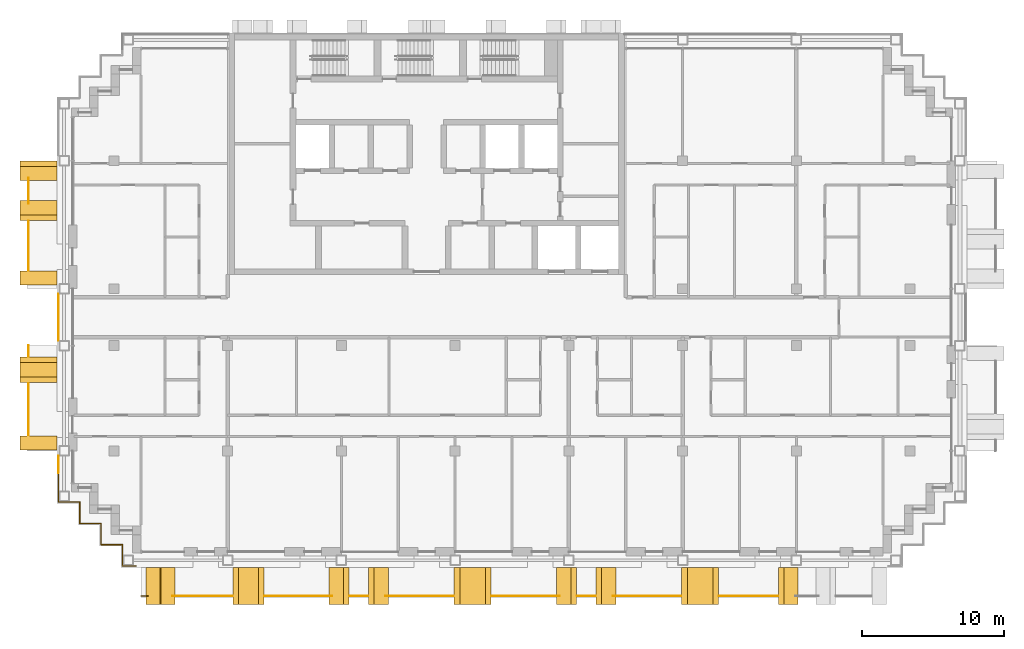
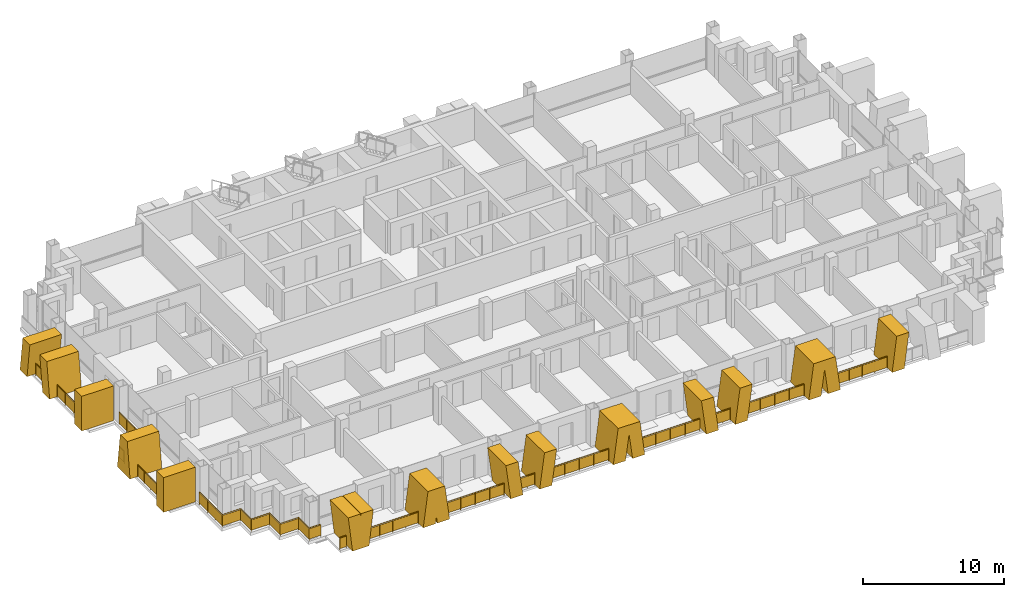
# One storey, part 13 of 16: 16 railings, 14 shading devices.
"""IFC4 building model written with IfcOpenShell, lengths in metres."""

from ifc_helpers import new_model, si_unit, direction, frame, origin, origin_2d, place, context, subcontext, project, spatial, polyline, rectangle, circle, outline, extrude, material, layer, layer_set, type_object, element, save


model = new_model("IFC4")

# Units and contexts
model_context = context("Model", 3, precision=1e-05, world=origin(), true_north=direction((0.0, 1.0)))
body_context = subcontext(model_context, "Body", "Model", "MODEL_VIEW")
ifc_project = project(units=[si_unit("LENGTHUNIT", "METRE"), si_unit("AREAUNIT", "SQUARE_METRE"), si_unit("VOLUMEUNIT", "CUBIC_METRE"), si_unit("PLANEANGLEUNIT", "RADIAN"), si_unit("MASSUNIT", "GRAM", prefix="KILO")], contexts=[model_context])

# Site, building, storey
site_placement = place(None, origin())
site = spatial("IfcSite", under=ifc_project, at=site_placement, CompositionType="ELEMENT")
building_placement = place(site_placement, origin())
building = spatial("IfcBuilding", under=site, at=building_placement, Name="Vidyagriha Tower", CompositionType="ELEMENT")
storey_placement = place(building_placement, frame((0.0, 0.0, 190.89990234375)))
storey = spatial("IfcBuildingStorey", under=building, at=storey_placement, Name="L50", CompositionType="ELEMENT", Elevation=190.89990234375)

# Railings
ifc_material_1 = material(Name="Steel ASTM A500 Grade C black painted", Category="steel")
railing_type_1 = type_object("IfcRailingType", Name="Balcony guard 1100", PredefinedType="BALUSTRADE", material=ifc_material_1)
railing_1_placement = place(storey_placement, frame((-28.0, 9.796630859375, 0.0)))
element("IfcRailing", 1, at=railing_1_placement, inside=storey, type_object=railing_type_1, Name="Balcony guard L50 R16.1-1", PredefinedType="BALUSTRADE", context=body_context, shape_type="SweptSolid", body=[
    extrude(circle(Radius=0.02490234375, at=origin_2d()), frame((0.0, 0.0, 1.0751953125), z_axis=(0.0, -1.0, 0.0), x_axis=(1.0, 0.0, 0.0)), (0.0, 0.0, 1.0), 1.793212890625),
    extrude(circle(Radius=0.02001953125, at=origin_2d()), origin(), (0.0, 0.0, 1.0), 1.050048828125),
    extrude(circle(Radius=0.02001953125, at=origin_2d()), frame((0.0, -0.896484375, 0.0)), (0.0, 0.0, 1.0), 1.050048828125),
    extrude(circle(Radius=0.02001953125, at=origin_2d()), frame((0.0, -1.793212890625, 0.0)), (0.0, 0.0, 1.0), 1.050048828125),
    extrude(rectangle(XDim=0.010009765625, YDim=0.900146484375, at=origin_2d()), frame((0.0, 0.0, 0.550048828125), z_axis=(0.0, -1.0, 0.0), x_axis=(1.0, 0.0, 0.0)), (0.0, 0.0, 1.0), 1.793212890625),
])
railing_2_placement = place(storey_placement, frame((-28.0, 6.75, 0.0)))
element("IfcRailing", 2, at=railing_2_placement, inside=storey, type_object=railing_type_1, Name="Balcony guard L50 R16.1-2", PredefinedType="BALUSTRADE", context=body_context, shape_type="SweptSolid", body=[
    extrude(circle(Radius=0.02490234375, at=origin_2d()), frame((0.0, 0.0, 1.0751953125), z_axis=(0.0, -1.0, 0.0), x_axis=(1.0, 0.0, 0.0)), (0.0, 0.0, 1.0), 3.449951171875),
    extrude(circle(Radius=0.02001953125, at=origin_2d()), origin(), (0.0, 0.0, 1.0), 1.050048828125),
    extrude(circle(Radius=0.02001953125, at=origin_2d()), frame((0.0, -1.14990234375, 0.0)), (0.0, 0.0, 1.0), 1.050048828125),
    extrude(circle(Radius=0.02001953125, at=origin_2d()), frame((0.0, -2.300048828125, 0.0)), (0.0, 0.0, 1.0), 1.050048828125),
    extrude(circle(Radius=0.02001953125, at=origin_2d()), frame((0.0, -3.449951171875, 0.0)), (0.0, 0.0, 1.0), 1.050048828125),
    extrude(rectangle(XDim=0.010009765625, YDim=0.900146484375, at=origin_2d()), frame((0.0, 0.0, 0.550048828125), z_axis=(0.0, -1.0, 0.0), x_axis=(1.0, 0.0, 0.0)), (0.0, 0.0, 1.0), 3.449951171875),
])
railing_3_placement = place(storey_placement, frame((-28.0, -2.0, 0.0)))
element("IfcRailing", 3, at=railing_3_placement, inside=storey, type_object=railing_type_1, Name="Balcony guard L50 R16.2-1", PredefinedType="BALUSTRADE", context=body_context, shape_type="SweptSolid", body=[
    extrude(circle(Radius=0.02490234375, at=origin_2d()), frame((0.0, 0.0, 1.0751953125), z_axis=(0.0, -1.0, 0.0), x_axis=(1.0, 0.0, 0.0)), (0.0, 0.0, 1.0), 0.75),
    extrude(circle(Radius=0.02001953125, at=origin_2d()), origin(), (0.0, 0.0, 1.0), 1.050048828125),
    extrude(circle(Radius=0.02001953125, at=origin_2d()), frame((0.0, -0.75, 0.0)), (0.0, 0.0, 1.0), 1.050048828125),
    extrude(rectangle(XDim=0.010009765625, YDim=0.900146484375, at=origin_2d()), frame((0.0, 0.0, 0.550048828125), z_axis=(0.0, -1.0, 0.0), x_axis=(1.0, 0.0, 0.0)), (0.0, 0.0, 1.0), 0.75),
])
railing_4_placement = place(storey_placement, frame((-28.0, -4.64990234375, 0.0)))
element("IfcRailing", 4, at=railing_4_placement, inside=storey, type_object=railing_type_1, Name="Balcony guard L50 R16.2-2", PredefinedType="BALUSTRADE", context=body_context, shape_type="SweptSolid", body=[
    extrude(circle(Radius=0.02490234375, at=origin_2d()), frame((0.0, 0.0, 1.0751953125), z_axis=(0.0, -1.0, 0.0), x_axis=(1.0, 0.0, 0.0)), (0.0, 0.0, 1.0), 3.650146484375),
    extrude(circle(Radius=0.02001953125, at=origin_2d()), origin(), (0.0, 0.0, 1.0), 1.050048828125),
    extrude(circle(Radius=0.02001953125, at=origin_2d()), frame((0.0, -0.91259765625, 0.0)), (0.0, 0.0, 1.0), 1.050048828125),
    extrude(circle(Radius=0.02001953125, at=origin_2d()), frame((0.0, -1.8251953125, 0.0)), (0.0, 0.0, 1.0), 1.050048828125),
    extrude(circle(Radius=0.02001953125, at=origin_2d()), frame((0.0, -2.737548828125, 0.0)), (0.0, 0.0, 1.0), 1.050048828125),
    extrude(circle(Radius=0.02001953125, at=origin_2d()), frame((0.0, -3.650146484375, 0.0)), (0.0, 0.0, 1.0), 1.050048828125),
    extrude(rectangle(XDim=0.010009765625, YDim=0.900146484375, at=origin_2d()), frame((0.0, 0.0, 0.550048828125), z_axis=(0.0, -1.0, 0.0), x_axis=(1.0, 0.0, 0.0)), (0.0, 0.0, 1.0), 3.650146484375),
])
railing_5_placement = place(storey_placement, frame((-20.10009765625, -19.60009765625, 0.0)))
element("IfcRailing", 5, at=railing_5_placement, inside=storey, type_object=railing_type_1, Name="Balcony guard L50 R23.1-1", PredefinedType="BALUSTRADE", context=body_context, shape_type="SweptSolid", body=[
    extrude(circle(Radius=0.02490234375, at=origin_2d()), frame((0.0, 0.0, 1.0751953125), z_axis=(1.0, 0.0, 0.0), x_axis=(0.0, 1.0, 0.0)), (0.0, 0.0, 1.0), 0.515869140625),
    extrude(circle(Radius=0.02001953125, at=origin_2d()), origin(), (0.0, 0.0, 1.0), 1.050048828125),
    extrude(circle(Radius=0.02001953125, at=origin_2d()), frame((0.515869140625, 0.0, 0.0)), (0.0, 0.0, 1.0), 1.050048828125),
    extrude(rectangle(XDim=0.010009765625, YDim=0.900146484375, at=origin_2d()), frame((0.0, 0.0, 0.550048828125), z_axis=(1.0, 0.0, 0.0), x_axis=(0.0, 1.0, 0.0)), (0.0, 0.0, 1.0), 0.515869140625),
])
railing_6_placement = place(storey_placement, frame((-17.86572265625, -19.60009765625, 0.0)))
element("IfcRailing", 6, at=railing_6_placement, inside=storey, type_object=railing_type_1, Name="Balcony guard L50 R23.1-2", PredefinedType="BALUSTRADE", context=body_context, shape_type="SweptSolid", body=[
    extrude(circle(Radius=0.02490234375, at=origin_2d()), frame((0.0, 0.0, 1.0751953125), z_axis=(1.0, 0.0, 0.0), x_axis=(0.0, 1.0, 0.0)), (0.0, 0.0, 1.0), 4.198974609375),
    extrude(circle(Radius=0.02001953125, at=origin_2d()), origin(), (0.0, 0.0, 1.0), 1.050048828125),
    extrude(circle(Radius=0.02001953125, at=origin_2d()), frame((1.0498046875, 0.0, 0.0)), (0.0, 0.0, 1.0), 1.050048828125),
    extrude(circle(Radius=0.02001953125, at=origin_2d()), frame((2.099609375, 0.0, 0.0)), (0.0, 0.0, 1.0), 1.050048828125),
    extrude(circle(Radius=0.02001953125, at=origin_2d()), frame((3.149169921875, 0.0, 0.0)), (0.0, 0.0, 1.0), 1.050048828125),
    extrude(circle(Radius=0.02001953125, at=origin_2d()), frame((4.198974609375, 0.0, 0.0)), (0.0, 0.0, 1.0), 1.050048828125),
    extrude(rectangle(XDim=0.010009765625, YDim=0.900146484375, at=origin_2d()), frame((0.0, 0.0, 0.550048828125), z_axis=(1.0, 0.0, 0.0), x_axis=(0.0, 1.0, 0.0)), (0.0, 0.0, 1.0), 4.198974609375),
])
railing_7_placement = place(storey_placement, frame((-11.408203125, -19.60009765625, 0.0)))
element("IfcRailing", 7, at=railing_7_placement, inside=storey, type_object=railing_type_1, Name="Balcony guard L50 R23.1-3", PredefinedType="BALUSTRADE", context=body_context, shape_type="SweptSolid", body=[
    extrude(circle(Radius=0.02490234375, at=origin_2d()), frame((0.0, 0.0, 1.0751953125), z_axis=(1.0, 0.0, 0.0), x_axis=(0.0, 1.0, 0.0)), (0.0, 0.0, 1.0), 4.746826171875),
    extrude(circle(Radius=0.02001953125, at=origin_2d()), origin(), (0.0, 0.0, 1.0), 1.050048828125),
    extrude(circle(Radius=0.02001953125, at=origin_2d()), frame((1.186767578125, 0.0, 0.0)), (0.0, 0.0, 1.0), 1.050048828125),
    extrude(circle(Radius=0.02001953125, at=origin_2d()), frame((2.37353515625, 0.0, 0.0)), (0.0, 0.0, 1.0), 1.050048828125),
    extrude(circle(Radius=0.02001953125, at=origin_2d()), frame((3.56005859375, 0.0, 0.0)), (0.0, 0.0, 1.0), 1.050048828125),
    extrude(circle(Radius=0.02001953125, at=origin_2d()), frame((4.746826171875, 0.0, 0.0)), (0.0, 0.0, 1.0), 1.050048828125),
    extrude(rectangle(XDim=0.010009765625, YDim=0.900146484375, at=origin_2d()), frame((0.0, 0.0, 0.550048828125), z_axis=(1.0, 0.0, 0.0), x_axis=(0.0, 1.0, 0.0)), (0.0, 0.0, 1.0), 4.746826171875),
])
railing_8_placement = place(storey_placement, frame((-5.409912109375, -19.60009765625, 0.0)))
element("IfcRailing", 8, at=railing_8_placement, inside=storey, type_object=railing_type_1, Name="Balcony guard L50 R23.1-4", PredefinedType="BALUSTRADE", context=body_context, shape_type="SweptSolid", body=[
    extrude(circle(Radius=0.02490234375, at=origin_2d()), frame((0.0, 0.0, 1.0751953125), z_axis=(1.0, 0.0, 0.0), x_axis=(0.0, 1.0, 0.0)), (0.0, 0.0, 1.0), 1.27001953125),
    extrude(circle(Radius=0.02001953125, at=origin_2d()), origin(), (0.0, 0.0, 1.0), 1.050048828125),
    extrude(circle(Radius=0.02001953125, at=origin_2d()), frame((0.635009765625, 0.0, 0.0)), (0.0, 0.0, 1.0), 1.050048828125),
    extrude(circle(Radius=0.02001953125, at=origin_2d()), frame((1.27001953125, 0.0, 0.0)), (0.0, 0.0, 1.0), 1.050048828125),
    extrude(rectangle(XDim=0.010009765625, YDim=0.900146484375, at=origin_2d()), frame((0.0, 0.0, 0.550048828125), z_axis=(1.0, 0.0, 0.0), x_axis=(0.0, 1.0, 0.0)), (0.0, 0.0, 1.0), 1.27001953125),
])
for number, where, name in (
    (9, (-2.888671875, -19.60009765625, 0.0), "Balcony guard L50 R23.1-5"),
    (10, (4.56494140625, -19.60009765625, 0.0), "Balcony guard L50 R23.1-6"),
):
    element("IfcRailing", number, at=place(storey_placement, frame(where)), inside=storey, type_object=railing_type_1, Name=name, PredefinedType="BALUSTRADE", context=body_context, shape_type="SweptSolid", body=[
        extrude(circle(Radius=0.02490234375, at=origin_2d()), frame((0.0, 0.0, 1.0751953125), z_axis=(1.0, 0.0, 0.0), x_axis=(0.0, 1.0, 0.0)), (0.0, 0.0, 1.0), 4.773681640625),
        extrude(circle(Radius=0.02001953125, at=origin_2d()), origin(), (0.0, 0.0, 1.0), 1.050048828125),
        extrude(circle(Radius=0.02001953125, at=origin_2d()), frame((1.193359375, 0.0, 0.0)), (0.0, 0.0, 1.0), 1.050048828125),
        extrude(circle(Radius=0.02001953125, at=origin_2d()), frame((2.38671875, 0.0, 0.0)), (0.0, 0.0, 1.0), 1.050048828125),
        extrude(circle(Radius=0.02001953125, at=origin_2d()), frame((3.580322265625, 0.0, 0.0)), (0.0, 0.0, 1.0), 1.050048828125),
        extrude(circle(Radius=0.02001953125, at=origin_2d()), frame((4.773681640625, 0.0, 0.0)), (0.0, 0.0, 1.0), 1.050048828125),
        extrude(rectangle(XDim=0.010009765625, YDim=0.900146484375, at=origin_2d()), frame((0.0, 0.0, 0.550048828125), z_axis=(1.0, 0.0, 0.0), x_axis=(0.0, 1.0, 0.0)), (0.0, 0.0, 1.0), 4.773681640625),
    ])
railing_9_placement = place(storey_placement, frame((10.590087890625, -19.60009765625, 0.0)))
element("IfcRailing", 11, at=railing_9_placement, inside=storey, type_object=railing_type_1, Name="Balcony guard L50 R23.1-7", PredefinedType="BALUSTRADE", context=body_context, shape_type="SweptSolid", body=[
    extrude(circle(Radius=0.02490234375, at=origin_2d()), frame((0.0, 0.0, 1.0751953125), z_axis=(1.0, 0.0, 0.0), x_axis=(0.0, 1.0, 0.0)), (0.0, 0.0, 1.0), 1.27001953125),
    extrude(circle(Radius=0.02001953125, at=origin_2d()), origin(), (0.0, 0.0, 1.0), 1.050048828125),
    extrude(circle(Radius=0.02001953125, at=origin_2d()), frame((0.635009765625, 0.0, 0.0)), (0.0, 0.0, 1.0), 1.050048828125),
    extrude(circle(Radius=0.02001953125, at=origin_2d()), frame((1.27001953125, 0.0, 0.0)), (0.0, 0.0, 1.0), 1.050048828125),
    extrude(rectangle(XDim=0.010009765625, YDim=0.900146484375, at=origin_2d()), frame((0.0, 0.0, 0.550048828125), z_axis=(1.0, 0.0, 0.0), x_axis=(0.0, 1.0, 0.0)), (0.0, 0.0, 1.0), 1.27001953125),
])
railing_10_placement = place(storey_placement, frame((13.111328125, -19.60009765625, 0.0)))
element("IfcRailing", 12, at=railing_10_placement, inside=storey, type_object=railing_type_1, Name="Balcony guard L50 R23.1-8", PredefinedType="BALUSTRADE", context=body_context, shape_type="SweptSolid", body=[
    extrude(circle(Radius=0.02490234375, at=origin_2d()), frame((0.0, 0.0, 1.0751953125), z_axis=(1.0, 0.0, 0.0), x_axis=(0.0, 1.0, 0.0)), (0.0, 0.0, 1.0), 4.773681640625),
    extrude(circle(Radius=0.02001953125, at=origin_2d()), origin(), (0.0, 0.0, 1.0), 1.050048828125),
    extrude(circle(Radius=0.02001953125, at=origin_2d()), frame((1.193359375, 0.0, 0.0)), (0.0, 0.0, 1.0), 1.050048828125),
    extrude(circle(Radius=0.02001953125, at=origin_2d()), frame((2.38671875, 0.0, 0.0)), (0.0, 0.0, 1.0), 1.050048828125),
    extrude(circle(Radius=0.02001953125, at=origin_2d()), frame((3.580322265625, 0.0, 0.0)), (0.0, 0.0, 1.0), 1.050048828125),
    extrude(circle(Radius=0.02001953125, at=origin_2d()), frame((4.773681640625, 0.0, 0.0)), (0.0, 0.0, 1.0), 1.050048828125),
    extrude(rectangle(XDim=0.010009765625, YDim=0.900146484375, at=origin_2d()), frame((0.0, 0.0, 0.550048828125), z_axis=(1.0, 0.0, 0.0), x_axis=(0.0, 1.0, 0.0)), (0.0, 0.0, 1.0), 4.773681640625),
])
railing_11_placement = place(storey_placement, frame((20.56494140625, -19.60009765625, 0.0)))
element("IfcRailing", 13, at=railing_11_placement, inside=storey, type_object=railing_type_1, Name="Balcony guard L50 R23.1-9", PredefinedType="BALUSTRADE", context=body_context, shape_type="SweptSolid", body=[
    extrude(circle(Radius=0.02490234375, at=origin_2d()), frame((0.0, 0.0, 1.0751953125), z_axis=(1.0, 0.0, 0.0), x_axis=(0.0, 1.0, 0.0)), (0.0, 0.0, 1.0), 4.135009765625),
    extrude(circle(Radius=0.02001953125, at=origin_2d()), origin(), (0.0, 0.0, 1.0), 1.050048828125),
    extrude(circle(Radius=0.02001953125, at=origin_2d()), frame((1.03369140625, 0.0, 0.0)), (0.0, 0.0, 1.0), 1.050048828125),
    extrude(circle(Radius=0.02001953125, at=origin_2d()), frame((2.0673828125, 0.0, 0.0)), (0.0, 0.0, 1.0), 1.050048828125),
    extrude(circle(Radius=0.02001953125, at=origin_2d()), frame((3.101318359375, 0.0, 0.0)), (0.0, 0.0, 1.0), 1.050048828125),
    extrude(circle(Radius=0.02001953125, at=origin_2d()), frame((4.135009765625, 0.0, 0.0)), (0.0, 0.0, 1.0), 1.050048828125),
    extrude(rectangle(XDim=0.010009765625, YDim=0.900146484375, at=origin_2d()), frame((0.0, 0.0, 0.550048828125), z_axis=(1.0, 0.0, 0.0), x_axis=(0.0, 1.0, 0.0)), (0.0, 0.0, 1.0), 4.135009765625),
])

# Shading devices
ifc_material_2 = material(Name="Precast concrete C40/50 with buff brick facing", Category="concrete")
ifc_layer_1 = layer(ifc_material_2, 1.0)
ifc_layer_set_1 = layer_set([ifc_layer_1], Name="Precast concrete C40/50 with buff brick facing")
shading_device_type_1 = type_object("IfcShadingDeviceType", Name="Brick-faced blade fin arm leaning 8 degrees", PredefinedType="USERDEFINED", material=ifc_layer_set_1)
shading_device_1_placement = place(storey_placement, frame((-27.300048828125, 8.199951171875, 0.0), z_axis=(0.0, 0.0, 1.0), x_axis=(0.0, -1.0, 0.0)))
element("IfcShadingDevice", 14, at=shading_device_1_placement, inside=storey, type_object=shading_device_type_1, Name="Leaning blade fin L50 R16.310a", ObjectType="BLADE FIN", PredefinedType="USERDEFINED", context=body_context, shape_type="SweptSolid", body=[
    extrude(outline(polyline([(0.39990234375, 0.0), (1.39990234375, 0.0), (1.0, 3.0), (0.0, 3.0), (0.39990234375, 0.0)])), frame((0.0, 1.300048828125, 0.0), z_axis=(0.0, -1.0, 0.0), x_axis=(1.0, 0.0, 0.0)), (0.0, 0.0, 1.0), 2.60009765625),
])
shading_device_2_placement = place(storey_placement, frame((-27.300048828125, 11.0, 0.0), z_axis=(0.0, 0.0, 1.0), x_axis=(0.0, -1.0, 0.0)))
element("IfcShadingDevice", 15, at=shading_device_2_placement, inside=storey, type_object=shading_device_type_1, Name="Leaning blade fin L50 R16.310b", ObjectType="BLADE FIN", PredefinedType="USERDEFINED", context=body_context, shape_type="SweptSolid", body=[
    extrude(outline(polyline([(0.0, 0.0), (1.0, 0.0), (1.39990234375, 3.0), (0.39990234375, 3.0), (0.0, 0.0)])), frame((0.0, 1.300048828125, 0.0), z_axis=(0.0, -1.0, 0.0), x_axis=(1.0, 0.0, 0.0)), (0.0, 0.0, 1.0), 2.60009765625),
])
shading_device_3_placement = place(storey_placement, frame((-4.090087890625, -18.89990234375, 0.0)))
element("IfcShadingDevice", 16, at=shading_device_3_placement, inside=storey, type_object=shading_device_type_1, Name="Leaning blade fin L50 R23.1410a", ObjectType="BLADE FIN", PredefinedType="USERDEFINED", context=body_context, shape_type="SweptSolid", body=[
    extrude(outline(polyline([(0.0, 0.0), (1.0, 0.0), (1.39501953125, 3.0), (0.39501953125, 3.0), (0.0, 0.0)])), frame((0.0, 1.300048828125, 0.0), z_axis=(0.0, -1.0, 0.0), x_axis=(1.0, 0.0, 0.0)), (0.0, 0.0, 1.0), 2.60009765625),
])
shading_device_4_placement = place(storey_placement, frame((-6.85498046875, -18.89990234375, 0.0)))
element("IfcShadingDevice", 17, at=shading_device_4_placement, inside=storey, type_object=shading_device_type_1, Name="Leaning blade fin L50 R23.1410b", ObjectType="BLADE FIN", PredefinedType="USERDEFINED", context=body_context, shape_type="SweptSolid", body=[
    extrude(outline(polyline([(0.39501953125, 0.0), (1.39501953125, 0.0), (1.0, 3.0), (0.0, 3.0), (0.39501953125, 0.0)])), frame((0.0, 1.300048828125, 0.0), z_axis=(0.0, -1.0, 0.0), x_axis=(1.0, 0.0, 0.0)), (0.0, 0.0, 1.0), 2.60009765625),
])
shading_device_5_placement = place(storey_placement, frame((11.909912109375, -18.89990234375, 0.0)))
element("IfcShadingDevice", 18, at=shading_device_5_placement, inside=storey, type_object=shading_device_type_1, Name="Leaning blade fin L50 R23.3010a", ObjectType="BLADE FIN", PredefinedType="USERDEFINED", context=body_context, shape_type="SweptSolid", body=[
    extrude(outline(polyline([(0.0, 0.0), (1.0, 0.0), (1.39501953125, 3.0), (0.39501953125, 3.0), (0.0, 0.0)])), frame((0.0, 1.300048828125, 0.0), z_axis=(0.0, -1.0, 0.0), x_axis=(1.0, 0.0, 0.0)), (0.0, 0.0, 1.0), 2.60009765625),
])
shading_device_6_placement = place(storey_placement, frame((9.14501953125, -18.89990234375, 0.0)))
element("IfcShadingDevice", 19, at=shading_device_6_placement, inside=storey, type_object=shading_device_type_1, Name="Leaning blade fin L50 R23.3010b", ObjectType="BLADE FIN", PredefinedType="USERDEFINED", context=body_context, shape_type="SweptSolid", body=[
    extrude(outline(polyline([(0.39501953125, 0.0), (1.39501953125, 0.0), (1.0, 3.0), (0.0, 3.0), (0.39501953125, 0.0)])), frame((0.0, 1.300048828125, 0.0), z_axis=(0.0, -1.0, 0.0), x_axis=(1.0, 0.0, 0.0)), (0.0, 0.0, 1.0), 2.60009765625),
])
shading_device_7_placement = place(storey_placement, frame((24.75, -18.89990234375, 0.0)))
element("IfcShadingDevice", 20, at=shading_device_7_placement, inside=storey, type_object=shading_device_type_1, Name="Leaning blade fin L50 R23.4610b", ObjectType="BLADE FIN", PredefinedType="USERDEFINED", context=body_context, shape_type="SweptSolid", body=[
    extrude(outline(polyline([(0.0, 0.0), (1.0, 0.0), (1.375, 3.0), (0.375, 3.0), (0.0, 0.0)])), frame((0.0, 1.300048828125, 0.0), z_axis=(0.0, -1.0, 0.0), x_axis=(1.0, 0.0, 0.0)), (0.0, 0.0, 1.0), 2.60009765625),
])
ifc_material_3 = material(Name="Precast concrete C40/50 with buff brick facing", Category="concrete")
ifc_layer_2 = layer(ifc_material_3, 1.0)
ifc_layer_set_2 = layer_set([ifc_layer_2], Name="Precast concrete C40/50 with buff brick facing")
shading_device_type_2 = type_object("IfcShadingDeviceType", Name="Brick-faced blade fin forking 8 degrees", PredefinedType="USERDEFINED", material=ifc_layer_set_2)
shading_device_8_placement = place(storey_placement, frame((-27.300048828125, -2.800048828125, 0.0), z_axis=(0.0, 0.0, 1.0), x_axis=(0.0, -1.0, 0.0)))
element("IfcShadingDevice", 21, at=shading_device_8_placement, inside=storey, type_object=shading_device_type_2, Name="Forked blade fin L50 R16.1610a", ObjectType="BLADE FIN", PredefinedType="USERDEFINED", context=body_context, shape_type="SweptSolid", body=[
    extrude(outline(polyline([(0.0, 0.0), (1.800048828125, 0.0), (1.39990234375, 3.0), (0.39990234375, 3.0), (0.0, 0.0)])), frame((0.0, 1.300048828125, 0.0), z_axis=(0.0, -1.0, 0.0), x_axis=(1.0, 0.0, 0.0)), (0.0, 0.0, 1.0), 2.60009765625),
])
shading_device_9_placement = place(storey_placement, frame((-19.75, -18.89990234375, 0.0)))
element("IfcShadingDevice", 22, at=shading_device_9_placement, inside=storey, type_object=shading_device_type_2, Name="Forked blade fin L50 R23.0a", ObjectType="BLADE FIN", PredefinedType="USERDEFINED", context=body_context, shape_type="SweptSolid", body=[
    extrude(outline(polyline([(0.35009765625, 0.0), (1.699951171875, 0.0), (2.050048828125, 3.0), (1.050048828125, 3.0), (1.02490234375, 2.785888671875), (1.0, 3.0), (0.0, 3.0), (0.35009765625, 0.0)])), frame((0.0, 1.300048828125, 0.0), z_axis=(0.0, -1.0, 0.0), x_axis=(1.0, 0.0, 0.0)), (0.0, 0.0, 1.0), 2.60009765625),
])
shading_device_10_placement = place(storey_placement, frame((-13.61669921875, -18.89990234375, 0.0)))
element("IfcShadingDevice", 23, at=shading_device_10_placement, inside=storey, type_object=shading_device_type_2, Name="Forked blade fin L50 R23.610a", ObjectType="BLADE FIN", PredefinedType="USERDEFINED", context=body_context, shape_type="SweptSolid", body=[
    extrude(outline(polyline([(1.0, 0.0), (1.0791015625, 0.615234375), (1.158447265625, 0.0), (2.158447265625, 0.0), (1.772216796875, 3.0), (0.385986328125, 3.0), (0.0, 0.0), (1.0, 0.0)])), frame((0.0, 1.300048828125, 0.0), z_axis=(0.0, -1.0, 0.0), x_axis=(1.0, 0.0, 0.0)), (0.0, 0.0, 1.0), 2.60009765625),
])
for number, where, name in (
    (24, (1.93505859375, -18.89990234375, 0.0), "Forked blade fin L50 R23.2210a"),
    (25, (17.93505859375, -18.89990234375, 0.0), "Forked blade fin L50 R23.3810a"),
):
    element("IfcShadingDevice", number, at=place(storey_placement, frame(where)), inside=storey, type_object=shading_device_type_2, Name=name, ObjectType="BLADE FIN", PredefinedType="USERDEFINED", context=body_context, shape_type="SweptSolid", body=[
        extrude(outline(polyline([(1.0, 0.0), (1.2900390625, 2.20263671875), (1.580078125, 0.0), (2.580078125, 0.0), (2.18505859375, 3.0), (0.39501953125, 3.0), (0.0, 0.0), (1.0, 0.0)])), frame((0.0, 1.300048828125, 0.0), z_axis=(0.0, -1.0, 0.0), x_axis=(1.0, 0.0, 0.0)), (0.0, 0.0, 1.0), 2.60009765625),
    ])
ifc_material_4 = material(Name="Precast concrete C40/50 with buff brick facing", Category="concrete")
ifc_layer_3 = layer(ifc_material_4, 1.0)
ifc_layer_set_3 = layer_set([ifc_layer_3], Name="Precast concrete C40/50 with buff brick facing")
shading_device_type_3 = type_object("IfcShadingDeviceType", Name="Brick-faced blade fin stem 1000", PredefinedType="USERDEFINED", material=ifc_layer_set_3)
for number, where, z_axis, x_axis, name in (
    (26, (-27.300048828125, 3.25, 0.0), (0.0, 0.0, 1.0), (0.0, -1.0, 0.0), "Stem blade fin L50 R16.1210a"),
    (27, (-27.300048828125, -8.35009765625, 0.0), (0.0, 0.0, 1.0), (0.0, -1.0, 0.0), "Stem blade fin L50 R16.2350a"),
):
    element("IfcShadingDevice", number, at=place(storey_placement, frame(where, z_axis=z_axis, x_axis=x_axis)), inside=storey, type_object=shading_device_type_3, Name=name, ObjectType="BLADE FIN", PredefinedType="USERDEFINED", context=body_context, shape_type="SweptSolid", body=[
        extrude(outline(polyline([(0.0, 0.0), (1.0, 0.0), (1.0, 3.0), (0.0, 3.0), (0.0, 0.0)])), frame((0.0, 1.300048828125, 0.0), z_axis=(0.0, -1.0, 0.0), x_axis=(1.0, 0.0, 0.0)), (0.0, 0.0, 1.0), 2.60009765625),
    ])

# Railings
ifc_material_5 = material(Name="Steel ASTM A500 Grade C black painted", Category="steel")
railing_type_2 = type_object("IfcRailingType", Name="Gallery guard 1100", PredefinedType="GUARDRAIL", material=ifc_material_5)
railing_12_placement = place(storey_placement, frame((-20.4599609375, -17.5, 0.0)))
element("IfcRailing", 28, at=railing_12_placement, inside=storey, type_object=railing_type_2, Name="Gallery guard L50 1", PredefinedType="GUARDRAIL", context=body_context, shape_type="SweptSolid", body=[
    extrude(circle(Radius=0.02490234375, at=origin_2d()), frame((0.0, 0.0, 1.0751953125), z_axis=(-1.0, 0.0, 0.0), x_axis=(0.0, -1.0, 0.0)), (0.0, 0.0, 1.0), 0.93994140625),
    extrude(circle(Radius=0.02490234375, at=origin_2d()), frame((-0.93994140625, 0.0, 1.0751953125), z_axis=(0.0, 1.0, 0.0), x_axis=(-1.0, 0.0, 0.0)), (0.0, 0.0, 1.0), 1.5),
    extrude(circle(Radius=0.02490234375, at=origin_2d()), frame((-0.93994140625, 1.5, 1.0751953125), z_axis=(-1.0, 0.0, 0.0), x_axis=(0.0, -1.0, 0.0)), (0.0, 0.0, 1.0), 1.5),
    extrude(circle(Radius=0.02490234375, at=origin_2d()), frame((-2.43994140625, 1.5, 1.0751953125), z_axis=(0.0, 1.0, 0.0), x_axis=(-1.0, 0.0, 0.0)), (0.0, 0.0, 1.0), 1.5),
    extrude(circle(Radius=0.02490234375, at=origin_2d()), frame((-2.43994140625, 3.0, 1.0751953125), z_axis=(-1.0, 0.0, 0.0), x_axis=(0.0, -1.0, 0.0)), (0.0, 0.0, 1.0), 1.5),
    extrude(circle(Radius=0.02490234375, at=origin_2d()), frame((-3.93994140625, 3.0, 1.0751953125), z_axis=(0.0, 1.0, 0.0), x_axis=(-1.0, 0.0, 0.0)), (0.0, 0.0, 1.0), 1.5),
    extrude(circle(Radius=0.02490234375, at=origin_2d()), frame((-3.93994140625, 4.5, 1.0751953125), z_axis=(-1.0, 0.0, 0.0), x_axis=(0.0, -1.0, 0.0)), (0.0, 0.0, 1.0), 1.5),
    extrude(circle(Radius=0.02490234375, at=origin_2d()), frame((-5.43994140625, 4.5, 1.0751953125), z_axis=(0.0, 1.0, 0.0), x_axis=(-1.0, 0.0, 0.0)), (0.0, 0.0, 1.0), 2.06005859375),
    extrude(circle(Radius=0.02001953125, at=origin_2d()), origin(), (0.0, 0.0, 1.0), 1.050048828125),
    extrude(circle(Radius=0.02001953125, at=origin_2d()), frame((-0.93994140625, 0.0, 0.0)), (0.0, 0.0, 1.0), 1.050048828125),
    extrude(circle(Radius=0.02001953125, at=origin_2d()), frame((-0.93994140625, 1.5, 0.0)), (0.0, 0.0, 1.0), 1.050048828125),
    extrude(circle(Radius=0.02001953125, at=origin_2d()), frame((-2.43994140625, 1.5, 0.0)), (0.0, 0.0, 1.0), 1.050048828125),
    extrude(circle(Radius=0.02001953125, at=origin_2d()), frame((-2.43994140625, 3.0, 0.0)), (0.0, 0.0, 1.0), 1.050048828125),
    extrude(circle(Radius=0.02001953125, at=origin_2d()), frame((-3.93994140625, 3.0, 0.0)), (0.0, 0.0, 1.0), 1.050048828125),
    extrude(circle(Radius=0.02001953125, at=origin_2d()), frame((-3.93994140625, 4.5, 0.0)), (0.0, 0.0, 1.0), 1.050048828125),
    extrude(circle(Radius=0.02001953125, at=origin_2d()), frame((-5.43994140625, 4.5, 0.0)), (0.0, 0.0, 1.0), 1.050048828125),
    extrude(circle(Radius=0.02001953125, at=origin_2d()), frame((-5.43994140625, 5.530029296875, 0.0)), (0.0, 0.0, 1.0), 1.050048828125),
    extrude(circle(Radius=0.02001953125, at=origin_2d()), frame((-5.43994140625, 6.56005859375, 0.0)), (0.0, 0.0, 1.0), 1.050048828125),
    extrude(rectangle(XDim=0.010009765625, YDim=0.900146484375, at=origin_2d()), frame((0.0, 0.0, 0.550048828125), z_axis=(-1.0, 0.0, 0.0), x_axis=(0.0, -1.0, 0.0)), (0.0, 0.0, 1.0), 0.93994140625),
    extrude(rectangle(XDim=0.010009765625, YDim=0.900146484375, at=origin_2d()), frame((-0.93994140625, 0.0, 0.550048828125), z_axis=(0.0, 1.0, 0.0), x_axis=(-1.0, 0.0, 0.0)), (0.0, 0.0, 1.0), 1.5),
    extrude(rectangle(XDim=0.010009765625, YDim=0.900146484375, at=origin_2d()), frame((-0.93994140625, 1.5, 0.550048828125), z_axis=(-1.0, 0.0, 0.0), x_axis=(0.0, -1.0, 0.0)), (0.0, 0.0, 1.0), 1.5),
    extrude(rectangle(XDim=0.010009765625, YDim=0.900146484375, at=origin_2d()), frame((-2.43994140625, 1.5, 0.550048828125), z_axis=(0.0, 1.0, 0.0), x_axis=(-1.0, 0.0, 0.0)), (0.0, 0.0, 1.0), 1.5),
    extrude(rectangle(XDim=0.010009765625, YDim=0.900146484375, at=origin_2d()), frame((-2.43994140625, 3.0, 0.550048828125), z_axis=(-1.0, 0.0, 0.0), x_axis=(0.0, -1.0, 0.0)), (0.0, 0.0, 1.0), 1.5),
    extrude(rectangle(XDim=0.010009765625, YDim=0.900146484375, at=origin_2d()), frame((-3.93994140625, 3.0, 0.550048828125), z_axis=(0.0, 1.0, 0.0), x_axis=(-1.0, 0.0, 0.0)), (0.0, 0.0, 1.0), 1.5),
    extrude(rectangle(XDim=0.010009765625, YDim=0.900146484375, at=origin_2d()), frame((-3.93994140625, 4.5, 0.550048828125), z_axis=(-1.0, 0.0, 0.0), x_axis=(0.0, -1.0, 0.0)), (0.0, 0.0, 1.0), 1.5),
    extrude(rectangle(XDim=0.010009765625, YDim=0.900146484375, at=origin_2d()), frame((-5.43994140625, 4.5, 0.550048828125), z_axis=(0.0, 1.0, 0.0), x_axis=(-1.0, 0.0, 0.0)), (0.0, 0.0, 1.0), 2.06005859375),
])
railing_13_placement = place(storey_placement, frame((-25.89990234375, -10.93994140625, 0.0)))
element("IfcRailing", 29, at=railing_13_placement, inside=storey, type_object=railing_type_2, Name="Gallery guard L50 2", PredefinedType="GUARDRAIL", context=body_context, shape_type="SweptSolid", body=[
    extrude(circle(Radius=0.02490234375, at=origin_2d()), frame((0.0, 0.0, 1.0751953125), z_axis=(0.0, 1.0, 0.0), x_axis=(-1.0, 0.0, 0.0)), (0.0, 0.0, 1.0), 1.179931640625),
    extrude(circle(Radius=0.02001953125, at=origin_2d()), origin(), (0.0, 0.0, 1.0), 1.050048828125),
    extrude(circle(Radius=0.02001953125, at=origin_2d()), frame((0.0, 1.179931640625, 0.0)), (0.0, 0.0, 1.0), 1.050048828125),
    extrude(rectangle(XDim=0.010009765625, YDim=0.900146484375, at=origin_2d()), frame((0.0, 0.0, 0.550048828125), z_axis=(0.0, 1.0, 0.0), x_axis=(-1.0, 0.0, 0.0)), (0.0, 0.0, 1.0), 1.179931640625),
])
railing_14_placement = place(storey_placement, frame((-25.89990234375, -1.639892578125, 0.0)))
element("IfcRailing", 30, at=railing_14_placement, inside=storey, type_object=railing_type_2, Name="Gallery guard L50 3", PredefinedType="GUARDRAIL", context=body_context, shape_type="SweptSolid", body=[
    extrude(circle(Radius=0.02490234375, at=origin_2d()), frame((0.0, 0.0, 1.0751953125), z_axis=(0.0, 1.0, 0.0), x_axis=(-1.0, 0.0, 0.0)), (0.0, 0.0, 1.0), 3.27978515625),
    extrude(circle(Radius=0.02001953125, at=origin_2d()), origin(), (0.0, 0.0, 1.0), 1.050048828125),
    extrude(circle(Radius=0.02001953125, at=origin_2d()), frame((0.0, 1.09326171875, 0.0)), (0.0, 0.0, 1.0), 1.050048828125),
    extrude(circle(Radius=0.02001953125, at=origin_2d()), frame((0.0, 2.1865234375, 0.0)), (0.0, 0.0, 1.0), 1.050048828125),
    extrude(circle(Radius=0.02001953125, at=origin_2d()), frame((0.0, 3.27978515625, 0.0)), (0.0, 0.0, 1.0), 1.050048828125),
    extrude(rectangle(XDim=0.010009765625, YDim=0.900146484375, at=origin_2d()), frame((0.0, 0.0, 0.550048828125), z_axis=(0.0, 1.0, 0.0), x_axis=(-1.0, 0.0, 0.0)), (0.0, 0.0, 1.0), 3.27978515625),
])

save(model, "model.ifc")
